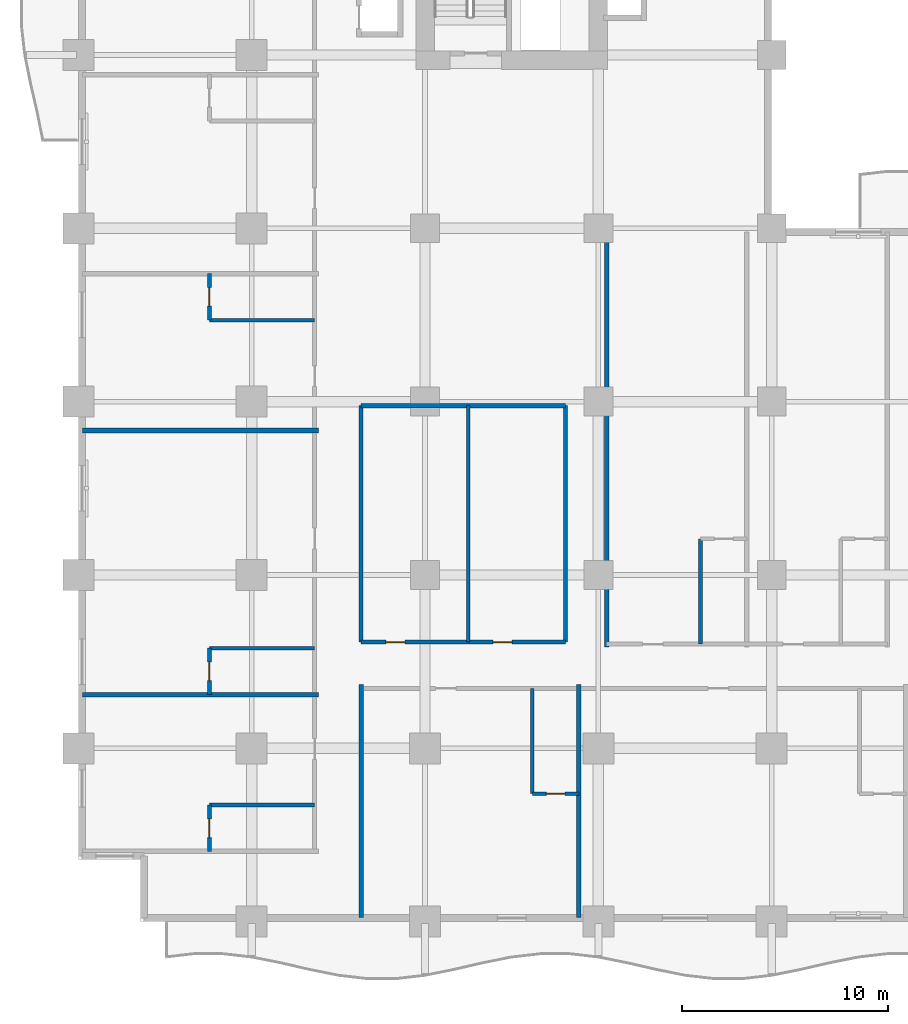
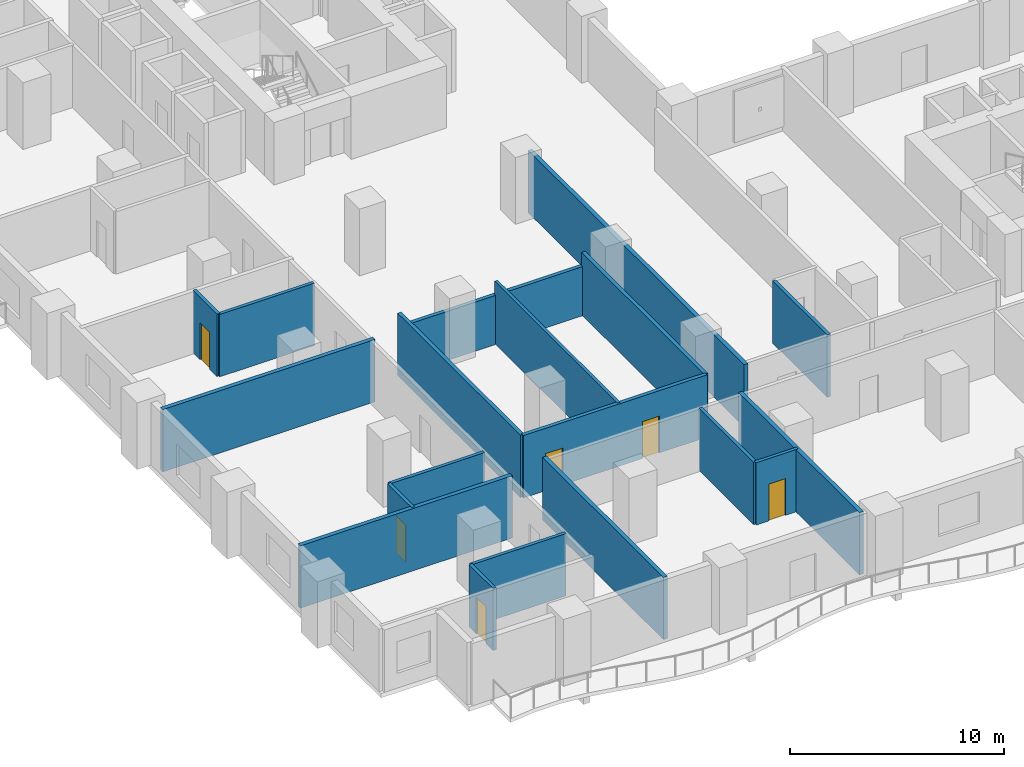
# One storey, part 4 of 20: 19 walls, 6 doors, 6 openings.
"""IFC4 building model written with IfcOpenShell, lengths in metres."""

from ifc_helpers import new_model, si_unit, direction, frame, frame_2d, origin, place, context, subcontext, project, spatial, rectangle, extrude, material, layer, layer_set, type_object, element, fill, save


model = new_model("IFC4")

# Units and contexts
model_context = context("Model", 3, precision=1e-05, world=origin(), true_north=direction((0.0, 1.0)))
body_context = subcontext(model_context, "Body", "Model", "MODEL_VIEW")
ifc_project = project(units=[si_unit("LENGTHUNIT", "METRE"), si_unit("AREAUNIT", "SQUARE_METRE"), si_unit("VOLUMEUNIT", "CUBIC_METRE"), si_unit("PLANEANGLEUNIT", "RADIAN"), si_unit("MASSUNIT", "GRAM", prefix="KILO")], contexts=[model_context])

# Site, building, storey
site_placement = place(None, origin())
site = spatial("IfcSite", under=ifc_project, at=site_placement, CompositionType="ELEMENT")
building_placement = place(site_placement, origin())
building = spatial("IfcBuilding", under=site, at=building_placement, Name="Koriwani Terraces Tower", CompositionType="ELEMENT")
storey_placement = place(building_placement, frame((0.0, 0.0, 66.199951171875)))
storey = spatial("IfcBuildingStorey", under=building, at=storey_placement, Name="L15", CompositionType="ELEMENT", Elevation=66.199951171875)

# Wall, openings, doors
ifc_material_1 = material(Name="Autoclaved Cellular Concrete Blockwork", Category="masonry")
ifc_layer_1 = layer(ifc_material_1, 0.199951171875, Name="Autoclaved Cellular Concrete Blockwork")
ifc_layer_set_1 = layer_set([ifc_layer_1], Name="Autoclaved Cellular Concrete Blockwork")
wall_type_1 = type_object("IfcWallType", Name="WALL_CORRIDOR_200", PredefinedType="PARTITIONING", material=ifc_layer_set_1)
wall_1_placement = place(storey_placement, frame((13.699951171875, 13.550048828125, 0.0), z_axis=(0.0, 0.0, 1.0), x_axis=(1.0, 0.0, 0.0)))
wall_1 = element("IfcWall", 1, at=wall_1_placement, inside=storey, type_object=wall_type_1, Name="L15 Interior Wall WHK-L15-S", PredefinedType="PARTITIONING", context=body_context, shape_type="SweptSolid", body=[
    extrude(rectangle(XDim=9.900146484375, YDim=0.199951171875, at=frame_2d((4.9501953125, 0.0))), origin(), (0.0, 0.0, 1.0), 3.550048828125),
])
opening_1_placement = place(wall_1_placement, frame((1.199951171875, 0.0, 0.0)))
opening_1 = element("IfcOpeningElement", 2, at=opening_1_placement, cuts=wall_1, Name="Opening D-06", PredefinedType="OPENING", context=body_context, shape_type="SweptSolid", body=[
    extrude(rectangle(XDim=0.919921875, YDim=2.10009765625, at=frame_2d((0.4599609375, 1.050048828125))), frame((0.0, 0.10986328125, 0.0), z_axis=(0.0, -1.0, 0.0), x_axis=(1.0, 0.0, 0.0)), (0.0, 0.0, 1.0), 0.219970703125),
])
opening_2_placement = place(wall_1_placement, frame((6.39990234375, 0.0, 0.0)))
opening_2 = element("IfcOpeningElement", 3, at=opening_2_placement, cuts=wall_1, Name="Opening D-06", PredefinedType="OPENING", context=body_context, shape_type="SweptSolid", body=[
    extrude(rectangle(XDim=0.919921875, YDim=2.10009765625, at=frame_2d((0.4599609375, 1.050048828125))), frame((0.0, 0.10986328125, 0.0), z_axis=(0.0, -1.0, 0.0), x_axis=(1.0, 0.0, 0.0)), (0.0, 0.0, 1.0), 0.219970703125),
])
ifc_material_2 = material(Name="Architectural Oak Fire Door", Category="wood")
door_type_1 = type_object("IfcDoorType", Name="DOOR_ROOM_INT_920X2100", OperationType="NOTDEFINED", PredefinedType="DOOR", material=ifc_material_2)
door_1_placement = place(opening_1_placement, origin())
door_1 = element("IfcDoor", 4, at=door_1_placement, inside=storey, type_object=door_type_1, Name="L15 Housekeeping and Linen Room Door", OperationType="SINGLE_SWING_LEFT", OverallHeight=2.10009765625, OverallWidth=0.919921875, PredefinedType="DOOR", context=body_context, shape_type="SweptSolid", body=[
    extrude(rectangle(XDim=0.919921875, YDim=2.10009765625, at=frame_2d((0.4599609375, 1.050048828125))), frame((0.0, 0.02490234375, 0.0), z_axis=(0.0, -1.0, 0.0), x_axis=(1.0, 0.0, 0.0)), (0.0, 0.0, 1.0), 0.050048828125),
])
fill(opening_1, door_1)
door_2_placement = place(opening_2_placement, origin())
door_2 = element("IfcDoor", 5, at=door_2_placement, inside=storey, type_object=door_type_1, Name="L15 Guest Study Lounge Door", OperationType="SINGLE_SWING_RIGHT", OverallHeight=2.10009765625, OverallWidth=0.919921875, PredefinedType="DOOR", context=body_context, shape_type="SweptSolid", body=[
    extrude(rectangle(XDim=0.919921875, YDim=2.10009765625, at=frame_2d((0.4599609375, 1.050048828125))), frame((0.0, 0.02490234375, 0.0), z_axis=(0.0, -1.0, 0.0), x_axis=(1.0, 0.0, 0.0)), (0.0, 0.0, 1.0), 0.050048828125),
])
fill(opening_2, door_2)

# Walls
wall_2_placement = place(storey_placement, frame((13.699951171875, 25.0, 0.0), z_axis=(0.0, 0.0, 1.0), x_axis=(1.0, 0.0, 0.0)))
element("IfcWall", 6, at=wall_2_placement, inside=storey, type_object=wall_type_1, Name="L15 Interior Wall WHK-L15-N", PredefinedType="PARTITIONING", context=body_context, shape_type="SweptSolid", body=[
    extrude(rectangle(XDim=9.900146484375, YDim=0.199951171875, at=frame_2d((4.9501953125, 0.0))), origin(), (0.0, 0.0, 1.0), 2.800048828125),
])
for number, where, z_axis, x_axis, name in (
    (7, (13.699951171875, 13.550048828125, 0.0), (0.0, 0.0, 1.0), (0.0, 1.0, 0.0), "L15 Interior Wall WHK-L15-W"),
    (8, (23.60009765625, 13.550048828125, 0.0), (0.0, 0.0, 1.0), (0.0, 1.0, 0.0), "L15 Interior Wall WHK-L15-E"),
):
    element("IfcWall", number, at=place(storey_placement, frame(where, z_axis=z_axis, x_axis=x_axis)), inside=storey, type_object=wall_type_1, Name=name, PredefinedType="PARTITIONING", context=body_context, shape_type="SweptSolid", body=[
        extrude(rectangle(XDim=11.449951171875, YDim=0.199951171875, at=frame_2d((5.72509765625, 0.0))), origin(), (0.0, 0.0, 1.0), 3.550048828125),
    ])
ifc_layer_2 = layer(ifc_material_1, 0.219970703125, Name="Autoclaved Cellular Concrete Blockwork")
ifc_layer_set_2 = layer_set([ifc_layer_2], Name="Autoclaved Cellular Concrete Blockwork")
wall_type_2 = type_object("IfcWallType", Name="WALL_DEMISING_220", PredefinedType="PARTITIONING", material=ifc_layer_set_2)
wall_3_placement = place(storey_placement, frame((25.60009765625, 13.300048828125, 0.0), z_axis=(0.0, 0.0, 1.0), x_axis=(0.0, 1.0, 0.0)))
element("IfcWall", 9, at=wall_3_placement, inside=storey, type_object=wall_type_2, Name="L15 Interior Wall WDEM-L15-SWI-0", PredefinedType="PARTITIONING", context=body_context, shape_type="SweptSolid", body=[
    extrude(rectangle(XDim=20.1298828125, YDim=0.219970703125, at=frame_2d((10.06494140625, 0.0))), origin(), (0.0, 0.0, 1.0), 3.550048828125),
])
for number, where, z_axis, x_axis, name in (
    (10, (0.199951171875, 11.0, 0.0), (0.0, 0.0, 1.0), (1.0, 0.0, 0.0), "L15 Interior Wall WDEM-L15-NW-1"),
    (11, (0.199951171875, 23.800048828125, 0.0), (0.0, 0.0, 1.0), (1.0, 0.0, 0.0), "L15 Interior Wall WDEM-L15-NW-2"),
):
    element("IfcWall", number, at=place(storey_placement, frame(where, z_axis=z_axis, x_axis=x_axis)), inside=storey, type_object=wall_type_2, Name=name, PredefinedType="PARTITIONING", context=body_context, shape_type="SweptSolid", body=[
        extrude(rectangle(XDim=11.429931640625, YDim=0.219970703125, at=frame_2d((5.71484375, 0.0))), origin(), (0.0, 0.0, 1.0), 3.550048828125),
    ])
for number, where, z_axis, x_axis, name in (
    (12, (13.699951171875, 0.199951171875, 0.0), (0.0, 0.0, 1.0), (0.0, 1.0, 0.0), "L15 Interior Wall WDEM-L15-SW-0"),
    (13, (24.25, 0.199951171875, 0.0), (0.0, 0.0, 1.0), (0.0, 1.0, 0.0), "L15 Interior Wall WDEM-L15-SW-1"),
):
    element("IfcWall", number, at=place(storey_placement, frame(where, z_axis=z_axis, x_axis=x_axis)), inside=storey, type_object=wall_type_2, Name=name, PredefinedType="PARTITIONING", context=body_context, shape_type="SweptSolid", body=[
        extrude(rectangle(XDim=11.280029296875, YDim=0.219970703125, at=frame_2d((5.64013671875, 0.0))), origin(), (0.0, 0.0, 1.0), 3.550048828125),
    ])
ifc_material_3 = material(Name="Fire-Rated Acoustic Gypsum Partition", Category="masonry")
ifc_layer_3 = layer(ifc_material_3, 0.179931640625, Name="Fire-Rated Acoustic Gypsum Partition")
ifc_layer_set_3 = layer_set([ifc_layer_3], Name="Fire-Rated Acoustic Gypsum Partition")
wall_type_3 = type_object("IfcWallType", Name="WALL_PLUMBING_180", PredefinedType="PLUMBINGWALL", material=ifc_layer_set_3)
wall_4_placement = place(storey_placement, frame((30.14990234375, 13.449951171875, 0.0), z_axis=(0.0, 0.0, 1.0), x_axis=(0.0, 1.0, 0.0)))
element("IfcWall", 14, at=wall_4_placement, inside=storey, type_object=wall_type_3, Name="L15 Interior Wall WBTH2-L15-SWI-0", PredefinedType="PLUMBINGWALL", context=body_context, shape_type="SweptSolid", body=[
    extrude(rectangle(XDim=5.10009765625, YDim=0.179931640625, at=frame_2d((2.550048828125, 0.0))), origin(), (0.0, 0.0, 1.0), 3.550048828125),
])

# Wall, opening, door
wall_5_placement = place(storey_placement, frame((6.35009765625, 3.39990234375, 0.0), z_axis=(0.0, 0.0, 1.0), x_axis=(0.0, 1.0, 0.0)))
wall_5 = element("IfcWall", 15, at=wall_5_placement, inside=storey, type_object=wall_type_3, Name="L15 Interior Wall WBTH1-L15-NW-0", PredefinedType="PLUMBINGWALL", context=body_context, shape_type="SweptSolid", body=[
    extrude(rectangle(XDim=2.25, YDim=0.179931640625, at=frame_2d((1.125, 0.0))), origin(), (0.0, 0.0, 1.0), 3.550048828125),
])
opening_3_placement = place(wall_5_placement, frame((0.675048828125, 0.0, 0.0)))
opening_3 = element("IfcOpeningElement", 16, at=opening_3_placement, cuts=wall_5, Name="Opening D-07", PredefinedType="OPENING", context=body_context, shape_type="SweptSolid", body=[
    extrude(rectangle(XDim=0.89990234375, YDim=2.10009765625, at=frame_2d((0.449951171875, 1.050048828125))), frame((0.0, 0.10009765625, 0.0), z_axis=(0.0, -1.0, 0.0), x_axis=(1.0, 0.0, 0.0)), (0.0, 0.0, 1.0), 0.199951171875),
])
door_type_2 = type_object("IfcDoorType", Name="DOOR_BATH_INT_900X2100", OperationType="NOTDEFINED", PredefinedType="DOOR", material=ifc_material_2)
door_3_placement = place(opening_3_placement, origin())
door_3 = element("IfcDoor", 17, at=door_3_placement, inside=storey, type_object=door_type_2, Name="En-Suite Bathroom 15NW1 Door", OperationType="SINGLE_SWING_RIGHT", OverallHeight=2.10009765625, OverallWidth=0.89990234375, PredefinedType="DOOR", context=body_context, shape_type="SweptSolid", body=[
    extrude(rectangle(XDim=0.89990234375, YDim=2.10009765625, at=frame_2d((0.449951171875, 1.050048828125))), frame((0.0, 0.02490234375, 0.0), z_axis=(0.0, -1.0, 0.0), x_axis=(1.0, 0.0, 0.0)), (0.0, 0.0, 1.0), 0.050048828125),
])
fill(opening_3, door_3)

# Wall
wall_6_placement = place(storey_placement, frame((6.35009765625, 5.64990234375, 0.0), z_axis=(0.0, 0.0, 1.0), x_axis=(1.0, 0.0, 0.0)))
element("IfcWall", 18, at=wall_6_placement, inside=storey, type_object=wall_type_3, Name="L15 Interior Wall WBTH2-L15-NW-0", PredefinedType="PLUMBINGWALL", context=body_context, shape_type="SweptSolid", body=[
    extrude(rectangle(XDim=5.099853515625, YDim=0.179931640625, at=frame_2d((2.5498046875, 0.0))), origin(), (0.0, 0.0, 1.0), 3.550048828125),
])

# Wall, opening, door
wall_7_placement = place(storey_placement, frame((6.35009765625, 11.0, 0.0), z_axis=(0.0, 0.0, 1.0), x_axis=(0.0, 1.0, 0.0)))
wall_7 = element("IfcWall", 19, at=wall_7_placement, inside=storey, type_object=wall_type_3, Name="L15 Interior Wall WBTH1-L15-NW-1", PredefinedType="PLUMBINGWALL", context=body_context, shape_type="SweptSolid", body=[
    extrude(rectangle(XDim=2.25, YDim=0.179931640625, at=frame_2d((1.125, 0.0))), origin(), (0.0, 0.0, 1.0), 3.550048828125),
])
opening_4_placement = place(wall_7_placement, frame((0.675048828125, 0.0, 0.0)))
opening_4 = element("IfcOpeningElement", 20, at=opening_4_placement, cuts=wall_7, Name="Opening D-07", PredefinedType="OPENING", context=body_context, shape_type="SweptSolid", body=[
    extrude(rectangle(XDim=0.89990234375, YDim=2.10009765625, at=frame_2d((0.449951171875, 1.050048828125))), frame((0.0, 0.10009765625, 0.0), z_axis=(0.0, -1.0, 0.0), x_axis=(1.0, 0.0, 0.0)), (0.0, 0.0, 1.0), 0.199951171875),
])
door_4_placement = place(opening_4_placement, origin())
door_4 = element("IfcDoor", 21, at=door_4_placement, inside=storey, type_object=door_type_2, Name="En-Suite Bathroom 15NW2 Door", OperationType="SINGLE_SWING_RIGHT", OverallHeight=2.10009765625, OverallWidth=0.89990234375, PredefinedType="DOOR", context=body_context, shape_type="SweptSolid", body=[
    extrude(rectangle(XDim=0.89990234375, YDim=2.10009765625, at=frame_2d((0.449951171875, 1.050048828125))), frame((0.0, 0.02490234375, 0.0), z_axis=(0.0, -1.0, 0.0), x_axis=(1.0, 0.0, 0.0)), (0.0, 0.0, 1.0), 0.050048828125),
])
fill(opening_4, door_4)

# Wall
wall_8_placement = place(storey_placement, frame((6.35009765625, 13.25, 0.0), z_axis=(0.0, 0.0, 1.0), x_axis=(1.0, 0.0, 0.0)))
element("IfcWall", 22, at=wall_8_placement, inside=storey, type_object=wall_type_3, Name="L15 Interior Wall WBTH2-L15-NW-1", PredefinedType="PLUMBINGWALL", context=body_context, shape_type="SweptSolid", body=[
    extrude(rectangle(XDim=5.099853515625, YDim=0.179931640625, at=frame_2d((2.5498046875, 0.0))), origin(), (0.0, 0.0, 1.0), 3.550048828125),
])

# Wall, opening, door
wall_9_placement = place(storey_placement, frame((6.35009765625, 29.14990234375, 0.0), z_axis=(0.0, 0.0, 1.0), x_axis=(0.0, 1.0, 0.0)))
wall_9 = element("IfcWall", 23, at=wall_9_placement, inside=storey, type_object=wall_type_3, Name="L15 Interior Wall WBTH1-L15-NW-2", PredefinedType="PLUMBINGWALL", context=body_context, shape_type="SweptSolid", body=[
    extrude(rectangle(XDim=2.25, YDim=0.179931640625, at=frame_2d((1.125, 0.0))), origin(), (0.0, 0.0, 1.0), 3.550048828125),
])
opening_5_placement = place(wall_9_placement, frame((0.675048828125, 0.0, 0.0)))
opening_5 = element("IfcOpeningElement", 24, at=opening_5_placement, cuts=wall_9, Name="Opening D-07", PredefinedType="OPENING", context=body_context, shape_type="SweptSolid", body=[
    extrude(rectangle(XDim=0.89990234375, YDim=2.10009765625, at=frame_2d((0.449951171875, 1.050048828125))), frame((0.0, 0.10009765625, 0.0), z_axis=(0.0, -1.0, 0.0), x_axis=(1.0, 0.0, 0.0)), (0.0, 0.0, 1.0), 0.199951171875),
])
door_5_placement = place(opening_5_placement, origin())
door_5 = element("IfcDoor", 25, at=door_5_placement, inside=storey, type_object=door_type_2, Name="En-Suite Bathroom 15NW3 Door", OperationType="SINGLE_SWING_RIGHT", OverallHeight=2.10009765625, OverallWidth=0.89990234375, PredefinedType="DOOR", context=body_context, shape_type="SweptSolid", body=[
    extrude(rectangle(XDim=0.89990234375, YDim=2.10009765625, at=frame_2d((0.449951171875, 1.050048828125))), frame((0.0, 0.02490234375, 0.0), z_axis=(0.0, -1.0, 0.0), x_axis=(1.0, 0.0, 0.0)), (0.0, 0.0, 1.0), 0.050048828125),
])
fill(opening_5, door_5)

# Wall
wall_10_placement = place(storey_placement, frame((6.35009765625, 29.14990234375, 0.0), z_axis=(0.0, 0.0, 1.0), x_axis=(1.0, 0.0, 0.0)))
element("IfcWall", 26, at=wall_10_placement, inside=storey, type_object=wall_type_3, Name="L15 Interior Wall WBTH2-L15-NW-2", PredefinedType="PLUMBINGWALL", context=body_context, shape_type="SweptSolid", body=[
    extrude(rectangle(XDim=5.099853515625, YDim=0.179931640625, at=frame_2d((2.5498046875, 0.0))), origin(), (0.0, 0.0, 1.0), 3.550048828125),
])

# Wall, opening, door
wall_11_placement = place(storey_placement, frame((22.0, 6.199951171875, 0.0), z_axis=(0.0, 0.0, 1.0), x_axis=(1.0, 0.0, 0.0)))
wall_11 = element("IfcWall", 27, at=wall_11_placement, inside=storey, type_object=wall_type_3, Name="L15 Interior Wall WBTH1-L15-SW-0", PredefinedType="PLUMBINGWALL", context=body_context, shape_type="SweptSolid", body=[
    extrude(rectangle(XDim=2.25, YDim=0.179931640625, at=frame_2d((1.125, 0.0))), origin(), (0.0, 0.0, 1.0), 3.550048828125),
])
opening_6_placement = place(wall_11_placement, frame((0.675048828125, 0.0, 0.0)))
opening_6 = element("IfcOpeningElement", 28, at=opening_6_placement, cuts=wall_11, Name="Opening D-07", PredefinedType="OPENING", context=body_context, shape_type="SweptSolid", body=[
    extrude(rectangle(XDim=0.89990234375, YDim=2.10009765625, at=frame_2d((0.449951171875, 1.050048828125))), frame((0.0, 0.10009765625, 0.0), z_axis=(0.0, -1.0, 0.0), x_axis=(1.0, 0.0, 0.0)), (0.0, 0.0, 1.0), 0.199951171875),
])
door_6_placement = place(opening_6_placement, origin())
door_6 = element("IfcDoor", 29, at=door_6_placement, inside=storey, type_object=door_type_2, Name="En-Suite Bathroom 15SW1 Door", OperationType="SINGLE_SWING_RIGHT", OverallHeight=2.10009765625, OverallWidth=0.89990234375, PredefinedType="DOOR", context=body_context, shape_type="SweptSolid", body=[
    extrude(rectangle(XDim=0.89990234375, YDim=2.10009765625, at=frame_2d((0.449951171875, 1.050048828125))), frame((0.0, 0.02490234375, 0.0), z_axis=(0.0, -1.0, 0.0), x_axis=(1.0, 0.0, 0.0)), (0.0, 0.0, 1.0), 0.050048828125),
])
fill(opening_6, door_6)

# Walls
wall_12_placement = place(storey_placement, frame((22.0, 6.199951171875, 0.0), z_axis=(0.0, 0.0, 1.0), x_axis=(0.0, 1.0, 0.0)))
element("IfcWall", 30, at=wall_12_placement, inside=storey, type_object=wall_type_3, Name="L15 Interior Wall WBTH2-L15-SW-0", PredefinedType="PLUMBINGWALL", context=body_context, shape_type="SweptSolid", body=[
    extrude(rectangle(XDim=5.10009765625, YDim=0.179931640625, at=frame_2d((2.550048828125, 0.0))), origin(), (0.0, 0.0, 1.0), 3.550048828125),
])
ifc_layer_4 = layer(ifc_material_3, 0.159912109375, Name="Fire-Rated Acoustic Gypsum Partition")
ifc_layer_set_4 = layer_set([ifc_layer_4], Name="Fire-Rated Acoustic Gypsum Partition")
wall_type_4 = type_object("IfcWallType", Name="WALL_SUITE_160", PredefinedType="PARTITIONING", material=ifc_layer_set_4)
wall_13_placement = place(storey_placement, frame((18.89990234375, 13.550048828125, 0.0), z_axis=(0.0, 0.0, 1.0), x_axis=(0.0, 1.0, 0.0)))
element("IfcWall", 31, at=wall_13_placement, inside=storey, type_object=wall_type_4, Name="L15 Interior Wall WHK-L15-M", PredefinedType="PARTITIONING", context=body_context, shape_type="SweptSolid", body=[
    extrude(rectangle(XDim=11.449951171875, YDim=0.159912109375, at=frame_2d((5.72509765625, 0.0))), origin(), (0.0, 0.0, 1.0), 3.550048828125),
])

save(model, "model.ifc")
